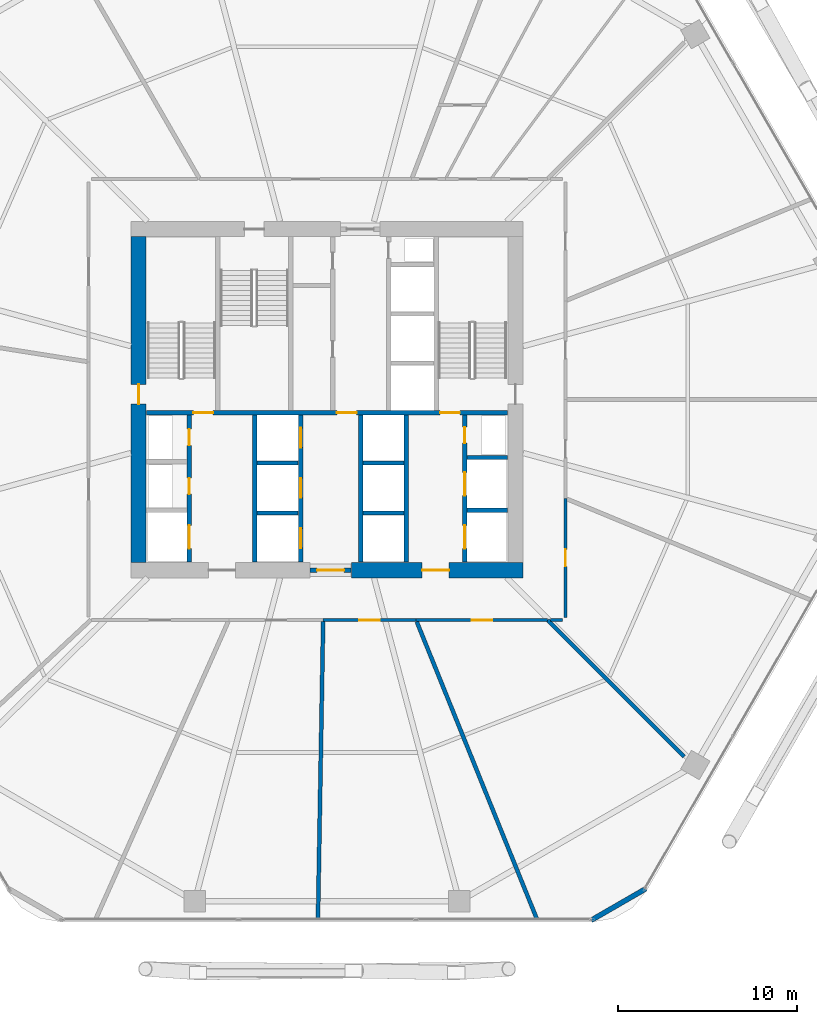
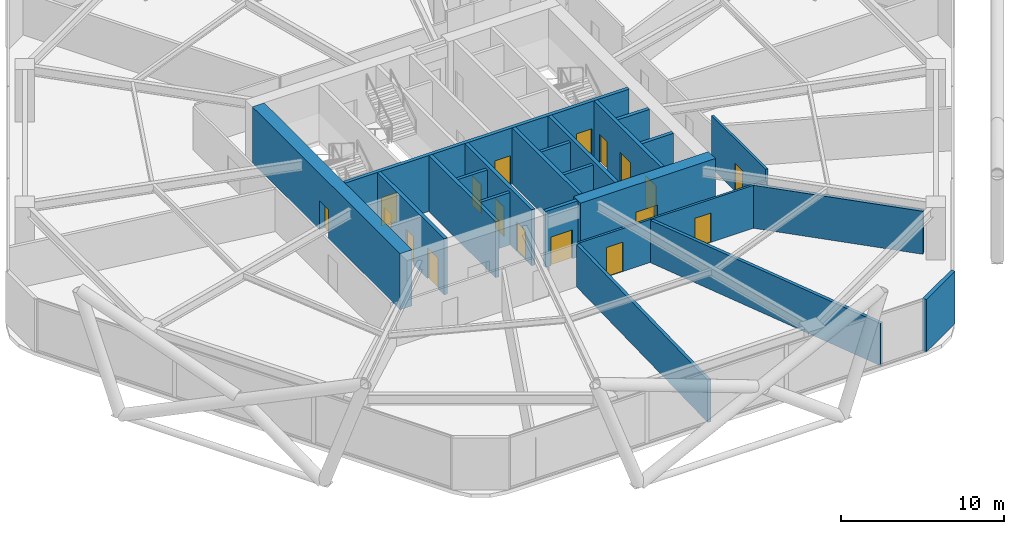
# One storey, part 25 of 28: 24 walls, 18 doors, 18 openings.
"""IFC4 building model written with IfcOpenShell, lengths in metres."""

import ifcopenshell
import ifcopenshell.guid

model = None  # the IFC model being written
_history = None  # IfcOwnerHistory: only IFC2X3 demands one
_inside = {}  # id of a spatial element -> (the spatial element, [elements in it])
_under = {}  # id of a project, library or spatial element -> (it, [spatial elements below it])
_declared = {}  # id of a project -> (the project, [libraries it declares])
_typed = {}  # id of a type object -> (the type object, [elements of that type])
_made_of = {}  # id of a material, layer set ... -> (it, [elements and type objects made of it])


def new_model(schema):
    """Start an empty IFC model of exactly this schema.

    Asked for "IFC4X3", IfcOpenShell would pick the latest addendum, in which some entities
    have other attributes; the version numbers below select the first issue.
    IFC2X3 requires an IfcOwnerHistory on every rooted entity: one is made here for all.
    """
    global model, _history
    if schema == "IFC4X3":
        model = ifcopenshell.file(schema_version=(4, 3, 0, 0))
    else:
        model = ifcopenshell.file(schema=schema)
    _inside.clear()
    _under.clear()
    _declared.clear()
    _typed.clear()
    _made_of.clear()
    _history = None
    if model.schema == "IFC2X3":
        org = make("IfcOrganization", Name="unknown")
        user = make(
            "IfcPersonAndOrganization",
            ThePerson=make("IfcPerson", FamilyName="unknown"),
            TheOrganization=org,
        )
        app = make(
            "IfcApplication",
            ApplicationDeveloper=org,
            Version="unknown",
            ApplicationFullName="unknown",
            ApplicationIdentifier="unknown",
        )
        _history = make(
            "IfcOwnerHistory",
            OwningUser=user,
            OwningApplication=app,
            ChangeAction="ADDED",
            CreationDate=0,
        )
    return model


def make(cls, **values):
    """One entity of the class cls with the attributes given. An attribute that is None is left unset."""
    return model.create_entity(
        cls, **{name: value for name, value in values.items() if value is not None}
    )


def rooted(cls, **values):
    """An entity with a GlobalId (a new one), such as an element, a storey or a relation."""
    return make(cls, GlobalId=ifcopenshell.guid.new(), OwnerHistory=_history, **values)


def si_unit(unit_type, name, prefix=None):
    """IfcSIUnit, for example si_unit("LENGTHUNIT", "METRE", prefix="MILLI")."""
    return make("IfcSIUnit", UnitType=unit_type, Prefix=prefix, Name=name)


def assignment(units):
    """IfcUnitAssignment: the units of a project."""
    return None if units is None else make("IfcUnitAssignment", Units=units)


def point(xyz):
    """IfcCartesianPoint."""
    return None if xyz is None else make("IfcCartesianPoint", Coordinates=xyz)


def direction(xyz):
    """IfcDirection."""
    return None if xyz is None else make("IfcDirection", DirectionRatios=xyz)


def frame(location, z_axis=None, x_axis=None):
    """IfcAxis2Placement3D, a coordinate frame: its origin and axes. An axis left out is left unset."""
    return make(
        "IfcAxis2Placement3D",
        Location=point(location),
        Axis=direction(z_axis),
        RefDirection=direction(x_axis),
    )


def frame_2d(location, x_axis=None):
    """IfcAxis2Placement2D, a coordinate frame in the plane: its origin and x axis."""
    return make(
        "IfcAxis2Placement2D", Location=point(location), RefDirection=direction(x_axis)
    )


def origin():
    """The frame at (0, 0, 0) with its axes left unset."""
    return frame((0.0, 0.0, 0.0))


def place(relative_to, where):
    """IfcLocalPlacement: puts the frame where relative to a parent placement (None: the world)."""
    return make(
        "IfcLocalPlacement", PlacementRelTo=relative_to, RelativePlacement=where
    )


def context(
    kind, dimensions, precision=None, world=None, true_north=None, identifier=None
):
    """IfcGeometricRepresentationContext, for example the 3D "Model" context."""
    return make(
        "IfcGeometricRepresentationContext",
        ContextIdentifier=identifier,
        ContextType=kind,
        CoordinateSpaceDimension=dimensions,
        Precision=precision,
        WorldCoordinateSystem=world,
        TrueNorth=true_north,
    )


def subcontext(parent, identifier, kind, view, scale=None):
    """IfcGeometricRepresentationSubContext, for example "Body" below "Model"."""
    return make(
        "IfcGeometricRepresentationSubContext",
        ContextIdentifier=identifier,
        ContextType=kind,
        ParentContext=parent,
        TargetScale=scale,
        TargetView=view,
    )


def project(units=None, contexts=None):
    """IfcProject with its units and contexts."""
    return rooted(
        "IfcProject",
        Name="project",
        RepresentationContexts=contexts,
        UnitsInContext=assignment(units),
    )


def spatial(cls, under=None, at=None, **own):
    """A site, building, storey or space (cls), placed at a placement, below another one or the project."""
    s = rooted(cls, ObjectPlacement=at, **own)
    if under is not None:
        _under.setdefault(under.id(), (under, []))[1].append(s)
    return s


def profile(cls, at=None, kind="AREA", **sizes):
    """A parametric profile (cls). Its sizes go by their IFC names, for example OverallWidth=200.0."""
    return make(cls, ProfileType=kind, Position=at, **sizes)


def rectangle(**sizes):
    """IfcRectangleProfileDef."""
    return profile("IfcRectangleProfileDef", **sizes)


def extrude(swept, where, along, depth):
    """IfcExtrudedAreaSolid: the profile swept, set in the frame where, extruded along a direction by depth."""
    return make(
        "IfcExtrudedAreaSolid",
        SweptArea=swept,
        Position=where,
        ExtrudedDirection=direction(along),
        Depth=depth,
    )


def shape(context_of_items, identifier, shape_type, items):
    """IfcShapeRepresentation: the items that make up one representation, for example the "Body"."""
    return make(
        "IfcShapeRepresentation",
        ContextOfItems=context_of_items,
        RepresentationIdentifier=identifier,
        RepresentationType=shape_type,
        Items=items,
    )


def material(Name=None, Category=None):
    """IfcMaterial."""
    return make("IfcMaterial", Name=Name, Category=Category)


def layer(
    of_material, thickness, ventilated=None, Name=None, Category=None, Priority=None
):
    """IfcMaterialLayer: one layer of a wall or slab, of a material (None: an air gap)."""
    return make(
        "IfcMaterialLayer",
        Material=of_material,
        LayerThickness=thickness,
        IsVentilated=ventilated,
        Name=Name,
        Category=Category,
        Priority=Priority,
    )


def layer_set(layers, Name=None):
    """IfcMaterialLayerSet."""
    return make("IfcMaterialLayerSet", MaterialLayers=layers, LayerSetName=Name)


def made_of(thing, what):
    """Note that an element or type object is made of a material, layer set ...; save() writes the relation."""
    if what is not None:
        _made_of.setdefault(what.id(), (what, []))[1].append(thing)
    return thing


def type_object(cls, material=None, **own):
    """A type object (cls), such as IfcWallType, which elements share."""
    return made_of(rooted(cls, **own), material)


def element(
    cls,
    number,
    at=None,
    inside=None,
    cuts=None,
    type_object=None,
    material=None,
    context=None,
    identifier="Body",
    shape_type=None,
    held_by="IfcProductDefinitionShape",
    body=None,
    shapes=None,
    **own,
):
    """One element of the class cls, such as IfcWall. Its Tag is "e" and its number.

    at: its placement. inside: the storey or other place that contains it. cuts: it is an
    opening in that element (IfcRelVoidsElement). A single representation is given by context,
    identifier, shape_type and body (its items); several are given by shapes. held_by: the class
    of the entity that holds the representations. save() writes the other relations.
    """
    e = rooted(cls, Tag="e%d" % number, ObjectPlacement=at, **own)
    if body is not None:
        shapes = [shape(context, identifier, shape_type, body)]
    if shapes is not None:
        e.Representation = make(held_by, Representations=shapes)
    if inside is not None:
        _inside.setdefault(inside.id(), (inside, []))[1].append(e)
    if cuts is not None:
        rooted(
            "IfcRelVoidsElement", RelatingBuildingElement=cuts, RelatedOpeningElement=e
        )
    if type_object is not None:
        _typed.setdefault(type_object.id(), (type_object, []))[1].append(e)
    return made_of(e, material)


def fill(opening, filler):
    """IfcRelFillsElement: the door or window that sits in an opening."""
    return rooted(
        "IfcRelFillsElement",
        RelatingOpeningElement=opening,
        RelatedBuildingElement=filler,
    )


def aggregate(whole, parts):
    """IfcRelAggregates: a whole, such as a stair, and the parts it consists of."""
    return rooted("IfcRelAggregates", RelatingObject=whole, RelatedObjects=parts)


def save(model, path):
    """Write the relations noted so far, then the file.

    IfcRelAggregates (storeys below a building ...), IfcRelContainedInSpatialStructure (elements
    in a storey), IfcRelDefinesByType, IfcRelAssociatesMaterial and IfcRelDeclares: one each for
    every whole, place, type object, material and project.
    """
    for whole, parts in _under.values():
        aggregate(whole, parts)
    for where, things in _inside.values():
        rooted(
            "IfcRelContainedInSpatialStructure",
            RelatedElements=things,
            RelatingStructure=where,
        )
    for kind, things in _typed.values():
        rooted("IfcRelDefinesByType", RelatedObjects=things, RelatingType=kind)
    for what, things in _made_of.values():
        rooted("IfcRelAssociatesMaterial", RelatedObjects=things, RelatingMaterial=what)
    for by, libraries in _declared.values():
        rooted("IfcRelDeclares", RelatingContext=by, RelatedDefinitions=libraries)
    model.write(path)


model = new_model("IFC4")

# Units and contexts
model_context = context("Model", 3, precision=1e-05, world=origin(), true_north=direction((0.0, 1.0)))
body_context = subcontext(model_context, "Body", "Model", "MODEL_VIEW")
ifc_project = project(units=[si_unit("LENGTHUNIT", "METRE"), si_unit("AREAUNIT", "SQUARE_METRE"), si_unit("VOLUMEUNIT", "CUBIC_METRE"), si_unit("PLANEANGLEUNIT", "RADIAN"), si_unit("MASSUNIT", "GRAM", prefix="KILO")], contexts=[model_context])

# Site, building, storey
site_placement = place(None, origin())
site = spatial("IfcSite", under=ifc_project, at=site_placement, CompositionType="ELEMENT")
building_placement = place(site_placement, origin())
building = spatial("IfcBuilding", under=site, at=building_placement, Name="Zuhravey Tower", CompositionType="ELEMENT")
storey_placement = place(building_placement, frame((0.0, 0.0, 66.60009765625)))
storey = spatial("IfcBuildingStorey", under=building, at=storey_placement, Name="L16", CompositionType="ELEMENT", Elevation=66.60009765625)

# Wall, opening, door
ifc_material_1 = material(Name="Concrete C60/75", Category="concrete")
ifc_layer_1 = layer(ifc_material_1, 0.85009765625)
ifc_layer_set_1 = layer_set([ifc_layer_1], Name="Concrete C60/75")
wall_type_1 = type_object("IfcWallType", Name="Core Shear Wall 850", PredefinedType="SHEAR", material=ifc_layer_set_1)
wall_1_placement = place(storey_placement, frame((37.35009765625, 22.5, 0.0), z_axis=(0.0, 0.0, 1.0), x_axis=(1.0, 0.0, 0.0)))
wall_1 = element("IfcWall", 1, at=wall_1_placement, inside=storey, type_object=wall_type_1, Name="L16 South-East Core Shear Wall CW85", PredefinedType="SHEAR", context=body_context, shape_type="SweptSolid", body=[
    extrude(rectangle(XDim=9.574951171875, YDim=0.85009765625, at=frame_2d((4.78759765625, 0.0))), origin(), (0.0, 0.0, 1.0), 4.199951171875),
])
opening_1_placement = place(wall_1_placement, frame((3.949951171875, 0.0, 0.0)))
opening_1 = element("IfcOpeningElement", 2, at=opening_1_placement, cuts=wall_1, Name="Opening FFD1", PredefinedType="OPENING", context=body_context, shape_type="SweptSolid", body=[
    extrude(rectangle(XDim=1.5, YDim=2.14990234375, at=frame_2d((0.75, 1.074951171875))), frame((0.0, 0.43701171875, 0.0), z_axis=(0.0, -1.0, 0.0), x_axis=(1.0, 0.0, 0.0)), (0.0, 0.0, 1.0), 0.8740234375),
])
ifc_material_2 = material(Name="Galvanised fire-rated steel leaf", Category="steel")
door_type_1 = type_object("IfcDoorType", Name="Firefighting Lobby Double Door 1500x2150", OperationType="DOUBLE_DOOR_SINGLE_SWING", PredefinedType="DOOR", material=ifc_material_2)
door_1_placement = place(opening_1_placement, origin())
door_1 = element("IfcDoor", 3, at=door_1_placement, inside=storey, type_object=door_type_1, Name="L16 Firefighting Lobby East Door", OperationType="DOUBLE_DOOR_SINGLE_SWING", OverallHeight=2.14990234375, OverallWidth=1.5, PredefinedType="DOOR", context=body_context, shape_type="SweptSolid", body=[
    extrude(rectangle(XDim=1.5, YDim=2.14990234375, at=frame_2d((0.75, 1.074951171875))), frame((0.0, 0.02490234375, 0.0), z_axis=(0.0, -1.0, 0.0), x_axis=(1.0, 0.0, 0.0)), (0.0, 0.0, 1.0), 0.050048828125),
])
fill(opening_1, door_1)

wall_2_placement = place(storey_placement, frame((25.5, 22.925048828125, 0.0), z_axis=(0.0, 0.0, 1.0), x_axis=(0.0, 1.0, 0.0)))
wall_2 = element("IfcWall", 4, at=wall_2_placement, inside=storey, type_object=wall_type_1, Name="L16 West Core Shear Wall CW85", PredefinedType="SHEAR", context=body_context, shape_type="SweptSolid", body=[
    extrude(rectangle(XDim=18.14990234375, YDim=0.85009765625, at=frame_2d((9.074951171875, 0.0))), origin(), (0.0, 0.0, 1.0), 4.199951171875),
])
opening_2_placement = place(wall_2_placement, frame((8.824951171875, 0.0, 0.0)))
opening_2 = element("IfcOpeningElement", 5, at=opening_2_placement, cuts=wall_2, Name="Opening STD1", PredefinedType="OPENING", context=body_context, shape_type="SweptSolid", body=[
    extrude(rectangle(XDim=1.10009765625, YDim=2.14990234375, at=frame_2d((0.550048828125, 1.074951171875))), frame((0.0, 0.43701171875, 0.0), z_axis=(0.0, -1.0, 0.0), x_axis=(1.0, 0.0, 0.0)), (0.0, 0.0, 1.0), 0.8740234375),
])
door_type_2 = type_object("IfcDoorType", Name="Protected Stair Fire Door 1100x2150", OperationType="NOTDEFINED", PredefinedType="USERDEFINED", material=ifc_material_2)
door_2_placement = place(opening_2_placement, frame((1.10009765625, 0.0, 0.0), z_axis=(0.0, 0.0, 1.0), x_axis=(-1.0, 0.0, 0.0)))
door_2 = element("IfcDoor", 6, at=door_2_placement, inside=storey, type_object=door_type_2, Name="L16 Stair ST1 Door", ObjectType="EXITDOOR", OperationType="SINGLE_SWING_RIGHT", OverallHeight=2.14990234375, OverallWidth=1.10009765625, PredefinedType="USERDEFINED", context=body_context, shape_type="SweptSolid", body=[
    extrude(rectangle(XDim=1.10009765625, YDim=2.14990234375, at=frame_2d((0.550048828125, 1.074951171875))), frame((0.0, 0.02490234375, 0.0), z_axis=(0.0, -1.0, 0.0), x_axis=(1.0, 0.0, 0.0)), (0.0, 0.0, 1.0), 0.050048828125),
])
fill(opening_2, door_2)

ifc_material_3 = material(Name="Gypsum fire-rated stud partition")
ifc_layer_2 = layer(ifc_material_3, 0.159912109375)
ifc_layer_set_2 = layer_set([ifc_layer_2], Name="Gypsum fire-rated stud partition")
wall_type_2 = type_object("IfcWallType", Name="Corridor Fire Partition 160", PredefinedType="PARTITIONING", material=ifc_layer_set_2)
wall_3_placement = place(storey_placement, frame((35.78564453125, 19.715087890625, 0.0), z_axis=(0.0, 0.0, 1.0), x_axis=(1.0, 0.0, 0.0)))
wall_3 = element("IfcWall", 7, at=wall_3_placement, inside=storey, type_object=wall_type_2, Name="L16 IW16 Partition 028", PredefinedType="PARTITIONING", context=body_context, shape_type="SweptSolid", body=[
    extrude(rectangle(XDim=5.177734375, YDim=0.159912109375, at=frame_2d((2.5888671875, 0.0))), origin(), (0.0, 0.0, 1.0), 3.219970703125),
])
opening_3_placement = place(wall_3_placement, frame((2.013916015625, 0.0, 0.0)))
opening_3 = element("IfcOpeningElement", 8, at=opening_3_placement, cuts=wall_3, Name="Opening CLD1", PredefinedType="OPENING", context=body_context, shape_type="SweptSolid", body=[
    extrude(rectangle(XDim=1.14990234375, YDim=2.199951171875, at=frame_2d((0.574951171875, 1.10009765625))), frame((0.0, 0.092041015625, 0.0), z_axis=(0.0, -1.0, 0.0), x_axis=(1.0, 0.0, 0.0)), (0.0, 0.0, 1.0), 0.183837890625),
])
ifc_material_4 = material(Name="Acoustic timber leaf with vision lite", Category="wood")
door_type_3 = type_object("IfcDoorType", Name="Classroom Acoustic Door 1150x2200", OperationType="NOTDEFINED", PredefinedType="DOOR", material=ifc_material_4)
door_3_placement = place(opening_3_placement, frame((1.14990234375, 0.0, 0.0), z_axis=(0.0, 0.0, 1.0), x_axis=(-1.0, 0.0, 0.0)))
door_3 = element("IfcDoor", 9, at=door_3_placement, inside=storey, type_object=door_type_3, Name="L16 Door 028.1", OperationType="SINGLE_SWING_LEFT", OverallHeight=2.199951171875, OverallWidth=1.14990234375, PredefinedType="DOOR", context=body_context, shape_type="SweptSolid", body=[
    extrude(rectangle(XDim=1.14990234375, YDim=2.199951171875, at=frame_2d((0.574951171875, 1.10009765625))), frame((0.0, 0.02490234375, 0.0), z_axis=(0.0, -1.0, 0.0), x_axis=(1.0, 0.0, 0.0)), (0.0, 0.0, 1.0), 0.050048828125),
])
fill(opening_3, door_3)

wall_4_placement = place(storey_placement, frame((40.96337890625, 19.715087890625, 0.0), z_axis=(0.0, 0.0, 1.0), x_axis=(1.0, 0.0, 0.0)))
wall_4 = element("IfcWall", 10, at=wall_4_placement, inside=storey, type_object=wall_type_2, Name="L16 IW16 Partition 029", PredefinedType="PARTITIONING", context=body_context, shape_type="SweptSolid", body=[
    extrude(rectangle(XDim=7.321533203125, YDim=0.159912109375, at=frame_2d((3.66064453125, 0.0))), origin(), (0.0, 0.0, 1.0), 3.219970703125),
])
opening_4_placement = place(wall_4_placement, frame((3.085693359375, 0.0, 0.0)))
opening_4 = element("IfcOpeningElement", 11, at=opening_4_placement, cuts=wall_4, Name="Opening CLD1", PredefinedType="OPENING", context=body_context, shape_type="SweptSolid", body=[
    extrude(rectangle(XDim=1.14990234375, YDim=2.199951171875, at=frame_2d((0.574951171875, 1.10009765625))), frame((0.0, 0.092041015625, 0.0), z_axis=(0.0, -1.0, 0.0), x_axis=(1.0, 0.0, 0.0)), (0.0, 0.0, 1.0), 0.183837890625),
])
door_4_placement = place(opening_4_placement, frame((1.14990234375, 0.0, 0.0), z_axis=(0.0, 0.0, 1.0), x_axis=(-1.0, 0.0, 0.0)))
door_4 = element("IfcDoor", 12, at=door_4_placement, inside=storey, type_object=door_type_3, Name="L16 Door 029.1", OperationType="SINGLE_SWING_RIGHT", OverallHeight=2.199951171875, OverallWidth=1.14990234375, PredefinedType="DOOR", context=body_context, shape_type="SweptSolid", body=[
    extrude(rectangle(XDim=1.14990234375, YDim=2.199951171875, at=frame_2d((0.574951171875, 1.10009765625))), frame((0.0, 0.02490234375, 0.0), z_axis=(0.0, -1.0, 0.0), x_axis=(1.0, 0.0, 0.0)), (0.0, 0.0, 1.0), 0.050048828125),
])
fill(opening_4, door_4)

wall_5_placement = place(storey_placement, frame((49.284912109375, 19.875, 0.0), z_axis=(0.0, 0.0, 1.0), x_axis=(0.0, 1.0, 0.0)))
wall_5 = element("IfcWall", 13, at=wall_5_placement, inside=storey, type_object=wall_type_2, Name="L16 IW16 Partition 030", PredefinedType="PARTITIONING", context=body_context, shape_type="SweptSolid", body=[
    extrude(rectangle(XDim=6.622314453125, YDim=0.159912109375, at=frame_2d((3.31103515625, 0.0))), origin(), (0.0, 0.0, 1.0), 3.919921875),
])
opening_5_placement = place(wall_5_placement, frame((2.836181640625, 0.0, 0.0)))
opening_5 = element("IfcOpeningElement", 14, at=opening_5_placement, cuts=wall_5, Name="Opening IND1", PredefinedType="OPENING", context=body_context, shape_type="SweptSolid", body=[
    extrude(rectangle(XDim=0.949951171875, YDim=2.10009765625, at=frame_2d((0.47509765625, 1.050048828125))), frame((0.0, 0.092041015625, 0.0), z_axis=(0.0, -1.0, 0.0), x_axis=(1.0, 0.0, 0.0)), (0.0, 0.0, 1.0), 0.183837890625),
])
ifc_material_5 = material(Name="Painted engineered timber leaf", Category="wood")
door_type_4 = type_object("IfcDoorType", Name="Internal Room & Bedroom Door 950x2100", OperationType="NOTDEFINED", PredefinedType="DOOR", material=ifc_material_5)
door_5_placement = place(opening_5_placement, frame((0.949951171875, 0.0, 0.0), z_axis=(0.0, 0.0, 1.0), x_axis=(-1.0, 0.0, 0.0)))
door_5 = element("IfcDoor", 15, at=door_5_placement, inside=storey, type_object=door_type_4, Name="L16 Door 030.1", OperationType="SINGLE_SWING_LEFT", OverallHeight=2.10009765625, OverallWidth=0.949951171875, PredefinedType="DOOR", context=body_context, shape_type="SweptSolid", body=[
    extrude(rectangle(XDim=0.949951171875, YDim=2.10009765625, at=frame_2d((0.47509765625, 1.050048828125))), frame((0.0, 0.02490234375, 0.0), z_axis=(0.0, -1.0, 0.0), x_axis=(1.0, 0.0, 0.0)), (0.0, 0.0, 1.0), 0.050048828125),
])
fill(opening_5, door_5)

# Walls
wall_6_placement = place(storey_placement, frame((48.451904296875, 19.715087890625, 0.0), z_axis=(0.0, 0.0, 1.0), x_axis=(1.0, 0.0, 0.0)))
element("IfcWall", 16, at=wall_6_placement, inside=storey, type_object=wall_type_2, Name="L16 IW16 Partition 057", PredefinedType="PARTITIONING", context=body_context, shape_type="SweptSolid", body=[
    extrude(rectangle(XDim=0.673095703125, YDim=0.159912109375, at=frame_2d((0.33642578125, 0.0))), origin(), (0.0, 0.0, 1.0), 3.219970703125),
])
ifc_material_6 = material(Name="Precast concrete C40/50", Category="concrete")
ifc_layer_3 = layer(ifc_material_6, 0.280029296875)
ifc_layer_set_3 = layer_set([ifc_layer_3], Name="Precast concrete C40/50")
wall_type_3 = type_object("IfcWallType", Name="Crown Architectural Wall 280", PredefinedType="SOLIDWALL", material=ifc_layer_set_3)
wall_7_placement = place(storey_placement, frame((53.76123046875, 4.75146484375, 0.0), z_axis=(0.0, 0.0, 1.0), x_axis=(-0.866007452331, -0.500031091541, 0.0)))
element("IfcWall", 17, at=wall_7_placement, inside=storey, type_object=wall_type_3, Name="L16 Rounded Corner Closure Wall EW28-02", PredefinedType="SOLIDWALL", context=body_context, shape_type="SweptSolid", body=[
    extrude(rectangle(XDim=3.514892578125, YDim=0.280029296875, at=frame_2d((1.75732421875, 0.0))), origin(), (0.0, 0.0, 1.0), 3.919921875),
])

# Wall, opening, door
ifc_material_7 = material(Name="Concrete C50/60", Category="concrete")
ifc_layer_4 = layer(ifc_material_7, 0.25)
ifc_layer_set_4 = layer_set([ifc_layer_4], Name="Concrete C50/60")
wall_type_4 = type_object("IfcWallType", Name="Firefighting Shaft & Stair Wall 250", PredefinedType="SOLIDWALL", material=ifc_layer_set_4)
wall_8_placement = place(storey_placement, frame((35.06005859375, 22.5, 0.0), z_axis=(0.0, 0.0, 1.0), x_axis=(1.0, 0.0, 0.0)))
wall_8 = element("IfcWall", 18, at=wall_8_placement, inside=storey, type_object=wall_type_4, Name="L16 FW25 Shaft Wall 001", PredefinedType="SOLIDWALL", context=body_context, shape_type="SweptSolid", body=[
    extrude(rectangle(XDim=2.280029296875, YDim=0.25, at=frame_2d((1.14013671875, 0.0))), origin(), (0.0, 0.0, 1.0), 4.199951171875),
])
opening_6_placement = place(wall_8_placement, frame((0.389892578125, 0.0, 0.0)))
opening_6 = element("IfcOpeningElement", 19, at=opening_6_placement, cuts=wall_8, Name="Opening FFD1", PredefinedType="OPENING", context=body_context, shape_type="SweptSolid", body=[
    extrude(rectangle(XDim=1.5, YDim=2.14990234375, at=frame_2d((0.75, 1.074951171875))), frame((0.0, 0.136962890625, 0.0), z_axis=(0.0, -1.0, 0.0), x_axis=(1.0, 0.0, 0.0)), (0.0, 0.0, 1.0), 0.27392578125),
])
door_6_placement = place(opening_6_placement, frame((1.5, 0.0, 0.0), z_axis=(0.0, 0.0, 1.0), x_axis=(-1.0, 0.0, 0.0)))
door_6 = element("IfcDoor", 20, at=door_6_placement, inside=storey, type_object=door_type_1, Name="L16 South Lift Lobby Exit Door", OperationType="DOUBLE_DOOR_SINGLE_SWING", OverallHeight=2.14990234375, OverallWidth=1.5, PredefinedType="DOOR", context=body_context, shape_type="SweptSolid", body=[
    extrude(rectangle(XDim=1.5, YDim=2.14990234375, at=frame_2d((0.75, 1.074951171875))), frame((0.0, 0.02490234375, 0.0), z_axis=(0.0, -1.0, 0.0), x_axis=(1.0, 0.0, 0.0)), (0.0, 0.0, 1.0), 0.050048828125),
])
fill(opening_6, door_6)

# Wall, openings, doors
wall_9_placement = place(storey_placement, frame((25.949951171875, 31.27490234375, 0.0), z_axis=(0.0, 0.0, 1.0), x_axis=(1.0, 0.0, 0.0)))
wall_9 = element("IfcWall", 21, at=wall_9_placement, inside=storey, type_object=wall_type_4, Name="L16 FW25 Shaft Wall 003", PredefinedType="SOLIDWALL", context=body_context, shape_type="SweptSolid", body=[
    extrude(rectangle(XDim=20.10009765625, YDim=0.25, at=frame_2d((10.050048828125, 0.0))), origin(), (0.0, 0.0, 1.0), 4.199951171875),
])
opening_7_placement = place(wall_9_placement, frame((2.60009765625, 0.0, 0.0)))
opening_7 = element("IfcOpeningElement", 22, at=opening_7_placement, cuts=wall_9, Name="Opening STD1", PredefinedType="OPENING", context=body_context, shape_type="SweptSolid", body=[
    extrude(rectangle(XDim=1.10009765625, YDim=2.14990234375, at=frame_2d((0.550048828125, 1.074951171875))), frame((0.0, 0.136962890625, 0.0), z_axis=(0.0, -1.0, 0.0), x_axis=(1.0, 0.0, 0.0)), (0.0, 0.0, 1.0), 0.27392578125),
])
opening_8_placement = place(wall_9_placement, frame((10.60009765625, 0.0, 0.0)))
opening_8 = element("IfcOpeningElement", 23, at=opening_8_placement, cuts=wall_9, Name="Opening STD1", PredefinedType="OPENING", context=body_context, shape_type="SweptSolid", body=[
    extrude(rectangle(XDim=1.10009765625, YDim=2.14990234375, at=frame_2d((0.550048828125, 1.074951171875))), frame((0.0, 0.136962890625, 0.0), z_axis=(0.0, -1.0, 0.0), x_axis=(1.0, 0.0, 0.0)), (0.0, 0.0, 1.0), 0.27392578125),
])
opening_9_placement = place(wall_9_placement, frame((16.35009765625, 0.0, 0.0)))
opening_9 = element("IfcOpeningElement", 24, at=opening_9_placement, cuts=wall_9, Name="Opening STD1", PredefinedType="OPENING", context=body_context, shape_type="SweptSolid", body=[
    extrude(rectangle(XDim=1.10009765625, YDim=2.14990234375, at=frame_2d((0.550048828125, 1.074951171875))), frame((0.0, 0.136962890625, 0.0), z_axis=(0.0, -1.0, 0.0), x_axis=(1.0, 0.0, 0.0)), (0.0, 0.0, 1.0), 0.27392578125),
])
door_7_placement = place(opening_7_placement, origin())
door_7 = element("IfcDoor", 25, at=door_7_placement, inside=storey, type_object=door_type_2, Name="L16 FFL-W to ST1 Door", ObjectType="EXITDOOR", OperationType="SINGLE_SWING_LEFT", OverallHeight=2.14990234375, OverallWidth=1.10009765625, PredefinedType="USERDEFINED", context=body_context, shape_type="SweptSolid", body=[
    extrude(rectangle(XDim=1.10009765625, YDim=2.14990234375, at=frame_2d((0.550048828125, 1.074951171875))), frame((0.0, 0.02490234375, 0.0), z_axis=(0.0, -1.0, 0.0), x_axis=(1.0, 0.0, 0.0)), (0.0, 0.0, 1.0), 0.050048828125),
])
fill(opening_7, door_7)
door_8_placement = place(opening_8_placement, origin())
door_8 = element("IfcDoor", 26, at=door_8_placement, inside=storey, type_object=door_type_2, Name="L16 Core Lobby Link Door", ObjectType="EXITDOOR", OperationType="SINGLE_SWING_RIGHT", OverallHeight=2.14990234375, OverallWidth=1.10009765625, PredefinedType="USERDEFINED", context=body_context, shape_type="SweptSolid", body=[
    extrude(rectangle(XDim=1.10009765625, YDim=2.14990234375, at=frame_2d((0.550048828125, 1.074951171875))), frame((0.0, 0.02490234375, 0.0), z_axis=(0.0, -1.0, 0.0), x_axis=(1.0, 0.0, 0.0)), (0.0, 0.0, 1.0), 0.050048828125),
])
fill(opening_8, door_8)
door_9_placement = place(opening_9_placement, origin())
door_9 = element("IfcDoor", 27, at=door_9_placement, inside=storey, type_object=door_type_2, Name="L16 FFL-E to ST2 Door", ObjectType="EXITDOOR", OperationType="SINGLE_SWING_LEFT", OverallHeight=2.14990234375, OverallWidth=1.10009765625, PredefinedType="USERDEFINED", context=body_context, shape_type="SweptSolid", body=[
    extrude(rectangle(XDim=1.10009765625, YDim=2.14990234375, at=frame_2d((0.550048828125, 1.074951171875))), frame((0.0, 0.02490234375, 0.0), z_axis=(0.0, -1.0, 0.0), x_axis=(1.0, 0.0, 0.0)), (0.0, 0.0, 1.0), 0.050048828125),
])
fill(opening_9, door_9)

wall_10_placement = place(storey_placement, frame((28.324951171875, 22.949951171875, 0.0), z_axis=(0.0, 0.0, 1.0), x_axis=(0.0, 1.0, 0.0)))
wall_10 = element("IfcWall", 28, at=wall_10_placement, inside=storey, type_object=wall_type_4, Name="L16 FW25 Shaft Wall 011", PredefinedType="SOLIDWALL", context=body_context, shape_type="SweptSolid", body=[
    extrude(rectangle(XDim=8.199951171875, YDim=0.25, at=frame_2d((4.10009765625, 0.0))), origin(), (0.0, 0.0, 1.0), 4.199951171875),
])
opening_10_placement = place(wall_10_placement, frame((0.75, 0.0, 0.0)))
opening_10 = element("IfcOpeningElement", 29, at=opening_10_placement, cuts=wall_10, Name="Opening LD2", PredefinedType="OPENING", context=body_context, shape_type="SweptSolid", body=[
    extrude(rectangle(XDim=1.300048828125, YDim=2.300048828125, at=frame_2d((0.64990234375, 1.14990234375))), frame((0.0, 0.136962890625, 0.0), z_axis=(0.0, -1.0, 0.0), x_axis=(1.0, 0.0, 0.0)), (0.0, 0.0, 1.0), 0.27392578125),
])
opening_11_placement = place(wall_10_placement, frame((3.780029296875, 0.0, 0.0)))
opening_11 = element("IfcOpeningElement", 30, at=opening_11_placement, cuts=wall_10, Name="Opening RSD1", PredefinedType="OPENING", context=body_context, shape_type="SweptSolid", body=[
    extrude(rectangle(XDim=0.89990234375, YDim=2.10009765625, at=frame_2d((0.449951171875, 1.050048828125))), frame((0.0, 0.136962890625, 0.0), z_axis=(0.0, -1.0, 0.0), x_axis=(1.0, 0.0, 0.0)), (0.0, 0.0, 1.0), 0.27392578125),
])
opening_12_placement = place(wall_10_placement, frame((6.5, 0.0, 0.0)))
opening_12 = element("IfcOpeningElement", 31, at=opening_12_placement, cuts=wall_10, Name="Opening RSD1", PredefinedType="OPENING", context=body_context, shape_type="SweptSolid", body=[
    extrude(rectangle(XDim=0.89990234375, YDim=2.10009765625, at=frame_2d((0.449951171875, 1.050048828125))), frame((0.0, 0.136962890625, 0.0), z_axis=(0.0, -1.0, 0.0), x_axis=(1.0, 0.0, 0.0)), (0.0, 0.0, 1.0), 0.27392578125),
])
ifc_material_8 = material(Name="Brushed stainless steel", Category="steel")
door_type_5 = type_object("IfcDoorType", Name="Freight & Stretcher Lift Sliding Door 1300x2300", OperationType="DOUBLE_DOOR_SLIDING", PredefinedType="DOOR", material=ifc_material_8)
door_10_placement = place(opening_10_placement, frame((1.300048828125, 0.0, 0.0), z_axis=(0.0, 0.0, 1.0), x_axis=(-1.0, 0.0, 0.0)))
door_10 = element("IfcDoor", 32, at=door_10_placement, inside=storey, type_object=door_type_5, Name="L16 Lift FF1 Landing Door", OperationType="DOUBLE_DOOR_SLIDING", OverallHeight=2.300048828125, OverallWidth=1.300048828125, PredefinedType="DOOR", context=body_context, shape_type="SweptSolid", body=[
    extrude(rectangle(XDim=1.300048828125, YDim=2.300048828125, at=frame_2d((0.64990234375, 1.14990234375))), frame((0.0, 0.02490234375, 0.0), z_axis=(0.0, -1.0, 0.0), x_axis=(1.0, 0.0, 0.0)), (0.0, 0.0, 1.0), 0.050048828125),
])
fill(opening_10, door_10)
ifc_material_9 = material(Name="Galvanised fire-rated steel access leaf", Category="steel")
door_type_6 = type_object("IfcDoorType", Name="Riser & Shaft Access Fire Door 900x2100", OperationType="NOTDEFINED", PredefinedType="DOOR", material=ifc_material_9)
door_11_placement = place(opening_11_placement, frame((0.89990234375, 0.0, 0.0), z_axis=(0.0, 0.0, 1.0), x_axis=(-1.0, 0.0, 0.0)))
door_11 = element("IfcDoor", 33, at=door_11_placement, inside=storey, type_object=door_type_6, Name="L16 Electrical Riser Door", OperationType="SINGLE_SWING_LEFT", OverallHeight=2.10009765625, OverallWidth=0.89990234375, PredefinedType="DOOR", context=body_context, shape_type="SweptSolid", body=[
    extrude(rectangle(XDim=0.89990234375, YDim=2.10009765625, at=frame_2d((0.449951171875, 1.050048828125))), frame((0.0, 0.02490234375, 0.0), z_axis=(0.0, -1.0, 0.0), x_axis=(1.0, 0.0, 0.0)), (0.0, 0.0, 1.0), 0.050048828125),
])
fill(opening_11, door_11)
door_12_placement = place(opening_12_placement, frame((0.89990234375, 0.0, 0.0), z_axis=(0.0, 0.0, 1.0), x_axis=(-1.0, 0.0, 0.0)))
door_12 = element("IfcDoor", 34, at=door_12_placement, inside=storey, type_object=door_type_6, Name="L16 Smoke Shaft Access Door", OperationType="SINGLE_SWING_RIGHT", OverallHeight=2.10009765625, OverallWidth=0.89990234375, PredefinedType="DOOR", context=body_context, shape_type="SweptSolid", body=[
    extrude(rectangle(XDim=0.89990234375, YDim=2.10009765625, at=frame_2d((0.449951171875, 1.050048828125))), frame((0.0, 0.02490234375, 0.0), z_axis=(0.0, -1.0, 0.0), x_axis=(1.0, 0.0, 0.0)), (0.0, 0.0, 1.0), 0.050048828125),
])
fill(opening_12, door_12)

# Wall
wall_11_placement = place(storey_placement, frame((31.97509765625, 22.949951171875, 0.0), z_axis=(0.0, 0.0, 1.0), x_axis=(0.0, 1.0, 0.0)))
element("IfcWall", 35, at=wall_11_placement, inside=storey, type_object=wall_type_4, Name="L16 FW25 Shaft Wall 012", PredefinedType="SOLIDWALL", context=body_context, shape_type="SweptSolid", body=[
    extrude(rectangle(XDim=8.199951171875, YDim=0.25, at=frame_2d((4.10009765625, 0.0))), origin(), (0.0, 0.0, 1.0), 4.199951171875),
])

# Wall, openings, doors
wall_12_placement = place(storey_placement, frame((34.52490234375, 22.949951171875, 0.0), z_axis=(0.0, 0.0, 1.0), x_axis=(0.0, 1.0, 0.0)))
wall_12 = element("IfcWall", 36, at=wall_12_placement, inside=storey, type_object=wall_type_4, Name="L16 FW25 Shaft Wall 013", PredefinedType="SOLIDWALL", context=body_context, shape_type="SweptSolid", body=[
    extrude(rectangle(XDim=8.199951171875, YDim=0.25, at=frame_2d((4.10009765625, 0.0))), origin(), (0.0, 0.0, 1.0), 4.199951171875),
])
opening_13_placement = place(wall_12_placement, frame((0.77490234375, 0.0, 0.0)))
opening_13 = element("IfcOpeningElement", 37, at=opening_13_placement, cuts=wall_12, Name="Opening LD1", PredefinedType="OPENING", context=body_context, shape_type="SweptSolid", body=[
    extrude(rectangle(XDim=1.10009765625, YDim=2.199951171875, at=frame_2d((0.550048828125, 1.10009765625))), frame((0.0, 0.136962890625, 0.0), z_axis=(0.0, -1.0, 0.0), x_axis=(1.0, 0.0, 0.0)), (0.0, 0.0, 1.0), 0.27392578125),
])
opening_14_placement = place(wall_12_placement, frame((3.574951171875, 0.0, 0.0)))
opening_14 = element("IfcOpeningElement", 38, at=opening_14_placement, cuts=wall_12, Name="Opening LD1", PredefinedType="OPENING", context=body_context, shape_type="SweptSolid", body=[
    extrude(rectangle(XDim=1.10009765625, YDim=2.199951171875, at=frame_2d((0.550048828125, 1.10009765625))), frame((0.0, 0.136962890625, 0.0), z_axis=(0.0, -1.0, 0.0), x_axis=(1.0, 0.0, 0.0)), (0.0, 0.0, 1.0), 0.27392578125),
])
opening_15_placement = place(wall_12_placement, frame((6.375, 0.0, 0.0)))
opening_15 = element("IfcOpeningElement", 39, at=opening_15_placement, cuts=wall_12, Name="Opening LD1", PredefinedType="OPENING", context=body_context, shape_type="SweptSolid", body=[
    extrude(rectangle(XDim=1.10009765625, YDim=2.199951171875, at=frame_2d((0.550048828125, 1.10009765625))), frame((0.0, 0.136962890625, 0.0), z_axis=(0.0, -1.0, 0.0), x_axis=(1.0, 0.0, 0.0)), (0.0, 0.0, 1.0), 0.27392578125),
])
door_type_7 = type_object("IfcDoorType", Name="Lift Landing Sliding Door 1100x2200", OperationType="DOUBLE_DOOR_SLIDING", PredefinedType="DOOR", material=ifc_material_8)
door_13_placement = place(opening_13_placement, frame((1.10009765625, 0.0, 0.0), z_axis=(0.0, 0.0, 1.0), x_axis=(-1.0, 0.0, 0.0)))
door_13 = element("IfcDoor", 40, at=door_13_placement, inside=storey, type_object=door_type_7, Name="L16 Lift PL1 Landing Door", OperationType="DOUBLE_DOOR_SLIDING", OverallHeight=2.199951171875, OverallWidth=1.10009765625, PredefinedType="DOOR", context=body_context, shape_type="SweptSolid", body=[
    extrude(rectangle(XDim=1.10009765625, YDim=2.199951171875, at=frame_2d((0.550048828125, 1.10009765625))), frame((0.0, 0.02490234375, 0.0), z_axis=(0.0, -1.0, 0.0), x_axis=(1.0, 0.0, 0.0)), (0.0, 0.0, 1.0), 0.050048828125),
])
fill(opening_13, door_13)
door_14_placement = place(opening_14_placement, frame((1.10009765625, 0.0, 0.0), z_axis=(0.0, 0.0, 1.0), x_axis=(-1.0, 0.0, 0.0)))
door_14 = element("IfcDoor", 41, at=door_14_placement, inside=storey, type_object=door_type_7, Name="L16 Lift PL2 Landing Door", OperationType="DOUBLE_DOOR_SLIDING", OverallHeight=2.199951171875, OverallWidth=1.10009765625, PredefinedType="DOOR", context=body_context, shape_type="SweptSolid", body=[
    extrude(rectangle(XDim=1.10009765625, YDim=2.199951171875, at=frame_2d((0.550048828125, 1.10009765625))), frame((0.0, 0.02490234375, 0.0), z_axis=(0.0, -1.0, 0.0), x_axis=(1.0, 0.0, 0.0)), (0.0, 0.0, 1.0), 0.050048828125),
])
fill(opening_14, door_14)
door_15_placement = place(opening_15_placement, frame((1.10009765625, 0.0, 0.0), z_axis=(0.0, 0.0, 1.0), x_axis=(-1.0, 0.0, 0.0)))
door_15 = element("IfcDoor", 42, at=door_15_placement, inside=storey, type_object=door_type_7, Name="L16 Lift PL3 Landing Door", OperationType="DOUBLE_DOOR_SLIDING", OverallHeight=2.199951171875, OverallWidth=1.10009765625, PredefinedType="DOOR", context=body_context, shape_type="SweptSolid", body=[
    extrude(rectangle(XDim=1.10009765625, YDim=2.199951171875, at=frame_2d((0.550048828125, 1.10009765625))), frame((0.0, 0.02490234375, 0.0), z_axis=(0.0, -1.0, 0.0), x_axis=(1.0, 0.0, 0.0)), (0.0, 0.0, 1.0), 0.050048828125),
])
fill(opening_15, door_15)

# Walls
for number, where, z_axis, x_axis, name in (
    (43, (37.875, 22.949951171875, 0.0), (0.0, 0.0, 1.0), (0.0, 1.0, 0.0), "L16 FW25 Shaft Wall 014"),
    (44, (40.425048828125, 22.949951171875, 0.0), (0.0, 0.0, 1.0), (0.0, 1.0, 0.0), "L16 FW25 Shaft Wall 015"),
):
    element("IfcWall", number, at=place(storey_placement, frame(where, z_axis=z_axis, x_axis=x_axis)), inside=storey, type_object=wall_type_4, Name=name, PredefinedType="SOLIDWALL", context=body_context, shape_type="SweptSolid", body=[
        extrude(rectangle(XDim=8.199951171875, YDim=0.25, at=frame_2d((4.10009765625, 0.0))), origin(), (0.0, 0.0, 1.0), 4.199951171875),
    ])
for number, where, z_axis, x_axis, name in (
    (45, (43.800048828125, 25.824951171875, 0.0), (0.0, 0.0, 1.0), (1.0, 0.0, 0.0), "L16 FW25 Shaft Wall 016"),
    (46, (43.800048828125, 28.77490234375, 0.0), (0.0, 0.0, 1.0), (1.0, 0.0, 0.0), "L16 FW25 Shaft Wall 017"),
):
    element("IfcWall", number, at=place(storey_placement, frame(where, z_axis=z_axis, x_axis=x_axis)), inside=storey, type_object=wall_type_4, Name=name, PredefinedType="SOLIDWALL", context=body_context, shape_type="SweptSolid", body=[
        extrude(rectangle(XDim=2.25, YDim=0.25, at=frame_2d((1.125, 0.0))), origin(), (0.0, 0.0, 1.0), 4.199951171875),
    ])

# Wall, openings, doors
wall_13_placement = place(storey_placement, frame((43.675048828125, 22.949951171875, 0.0), z_axis=(0.0, 0.0, 1.0), x_axis=(0.0, 1.0, 0.0)))
wall_13 = element("IfcWall", 47, at=wall_13_placement, inside=storey, type_object=wall_type_4, Name="L16 FW25 Shaft Wall 018", PredefinedType="SOLIDWALL", context=body_context, shape_type="SweptSolid", body=[
    extrude(rectangle(XDim=8.199951171875, YDim=0.25, at=frame_2d((4.10009765625, 0.0))), origin(), (0.0, 0.0, 1.0), 4.199951171875),
])
opening_16_placement = place(wall_13_placement, frame((0.75, 0.0, 0.0)))
opening_16 = element("IfcOpeningElement", 48, at=opening_16_placement, cuts=wall_13, Name="Opening LD2", PredefinedType="OPENING", context=body_context, shape_type="SweptSolid", body=[
    extrude(rectangle(XDim=1.300048828125, YDim=2.300048828125, at=frame_2d((0.64990234375, 1.14990234375))), frame((0.0, 0.136962890625, 0.0), z_axis=(0.0, -1.0, 0.0), x_axis=(1.0, 0.0, 0.0)), (0.0, 0.0, 1.0), 0.27392578125),
])
opening_17_placement = place(wall_13_placement, frame((3.699951171875, 0.0, 0.0)))
opening_17 = element("IfcOpeningElement", 49, at=opening_17_placement, cuts=wall_13, Name="Opening LD2", PredefinedType="OPENING", context=body_context, shape_type="SweptSolid", body=[
    extrude(rectangle(XDim=1.300048828125, YDim=2.300048828125, at=frame_2d((0.64990234375, 1.14990234375))), frame((0.0, 0.136962890625, 0.0), z_axis=(0.0, -1.0, 0.0), x_axis=(1.0, 0.0, 0.0)), (0.0, 0.0, 1.0), 0.27392578125),
])
opening_18_placement = place(wall_13_placement, frame((6.6201171875, 0.0, 0.0)))
opening_18 = element("IfcOpeningElement", 50, at=opening_18_placement, cuts=wall_13, Name="Opening RSD1", PredefinedType="OPENING", context=body_context, shape_type="SweptSolid", body=[
    extrude(rectangle(XDim=0.89990234375, YDim=2.10009765625, at=frame_2d((0.449951171875, 1.050048828125))), frame((0.0, 0.136962890625, 0.0), z_axis=(0.0, -1.0, 0.0), x_axis=(1.0, 0.0, 0.0)), (0.0, 0.0, 1.0), 0.27392578125),
])
door_16_placement = place(opening_16_placement, origin())
door_16 = element("IfcDoor", 51, at=door_16_placement, inside=storey, type_object=door_type_5, Name="L16 Lift FF2 Landing Door", OperationType="DOUBLE_DOOR_SLIDING", OverallHeight=2.300048828125, OverallWidth=1.300048828125, PredefinedType="DOOR", context=body_context, shape_type="SweptSolid", body=[
    extrude(rectangle(XDim=1.300048828125, YDim=2.300048828125, at=frame_2d((0.64990234375, 1.14990234375))), frame((0.0, 0.02490234375, 0.0), z_axis=(0.0, -1.0, 0.0), x_axis=(1.0, 0.0, 0.0)), (0.0, 0.0, 1.0), 0.050048828125),
])
fill(opening_16, door_16)
door_17_placement = place(opening_17_placement, origin())
door_17 = element("IfcDoor", 52, at=door_17_placement, inside=storey, type_object=door_type_5, Name="L16 Lift SV1 Landing Door", OperationType="DOUBLE_DOOR_SLIDING", OverallHeight=2.300048828125, OverallWidth=1.300048828125, PredefinedType="DOOR", context=body_context, shape_type="SweptSolid", body=[
    extrude(rectangle(XDim=1.300048828125, YDim=2.300048828125, at=frame_2d((0.64990234375, 1.14990234375))), frame((0.0, 0.02490234375, 0.0), z_axis=(0.0, -1.0, 0.0), x_axis=(1.0, 0.0, 0.0)), (0.0, 0.0, 1.0), 0.050048828125),
])
fill(opening_17, door_17)
door_18_placement = place(opening_18_placement, origin())
door_18 = element("IfcDoor", 53, at=door_18_placement, inside=storey, type_object=door_type_6, Name="L16 Plumbing Riser Door", OperationType="SINGLE_SWING_LEFT", OverallHeight=2.10009765625, OverallWidth=0.89990234375, PredefinedType="DOOR", context=body_context, shape_type="SweptSolid", body=[
    extrude(rectangle(XDim=0.89990234375, YDim=2.10009765625, at=frame_2d((0.449951171875, 1.050048828125))), frame((0.0, 0.02490234375, 0.0), z_axis=(0.0, -1.0, 0.0), x_axis=(1.0, 0.0, 0.0)), (0.0, 0.0, 1.0), 0.050048828125),
])
fill(opening_18, door_18)

# Walls
ifc_material_10 = material(Name="Gypsum acoustic stud assembly")
ifc_layer_5 = layer(ifc_material_10, 0.219970703125)
ifc_layer_set_5 = layer_set([ifc_layer_5], Name="Gypsum acoustic stud assembly")
wall_type_5 = type_object("IfcWallType", Name="School Acoustic Compartment Wall 220", PredefinedType="PARTITIONING", material=ifc_layer_set_5)
for number, where, z_axis, x_axis, name in (
    (54, (32.10791015625, 25.675048828125, 0.0), (0.0, 0.0, 1.0), (1.0, 0.0, 0.0), "L16 IW22 Partition 038"),
    (55, (32.10791015625, 28.47509765625, 0.0), (0.0, 0.0, 1.0), (1.0, 0.0, 0.0), "L16 IW22 Partition 039"),
):
    element("IfcWall", number, at=place(storey_placement, frame(where, z_axis=z_axis, x_axis=x_axis)), inside=storey, type_object=wall_type_5, Name=name, PredefinedType="PARTITIONING", context=body_context, shape_type="SweptSolid", body=[
        extrude(rectangle(XDim=2.2841796875, YDim=0.219970703125, at=frame_2d((1.14208984375, 0.0))), origin(), (0.0, 0.0, 1.0), 3.919921875),
    ])
for number, where, z_axis, x_axis, name in (
    (56, (38.008056640625, 25.675048828125, 0.0), (0.0, 0.0, 1.0), (1.0, 0.0, 0.0), "L16 IW22 Partition 040"),
    (57, (38.008056640625, 28.47509765625, 0.0), (0.0, 0.0, 1.0), (1.0, 0.0, 0.0), "L16 IW22 Partition 041"),
):
    element("IfcWall", number, at=place(storey_placement, frame(where, z_axis=z_axis, x_axis=x_axis)), inside=storey, type_object=wall_type_5, Name=name, PredefinedType="PARTITIONING", context=body_context, shape_type="SweptSolid", body=[
        extrude(rectangle(XDim=2.283935546875, YDim=0.219970703125, at=frame_2d((1.14208984375, 0.0))), origin(), (0.0, 0.0, 1.0), 3.919921875),
    ])
wall_14_placement = place(storey_placement, frame((35.783935546875, 19.626953125, 0.0), z_axis=(0.0, 0.0, 1.0), x_axis=(-0.01745546123, -0.99984764183, 0.0)))
element("IfcWall", 58, at=wall_14_placement, inside=storey, type_object=wall_type_5, Name="L16 IW22 Partition 053", PredefinedType="PARTITIONING", context=body_context, shape_type="SweptSolid", body=[
    extrude(rectangle(XDim=16.587890625, YDim=0.219970703125, at=frame_2d((8.2939453125, 0.0))), origin(), (0.0, 0.0, 1.0), 3.169921875),
])
wall_15_placement = place(storey_placement, frame((40.9990234375, 19.626953125, 0.0), z_axis=(0.0, 0.0, 1.0), x_axis=(0.374605213306, -0.927184412166, 0.0)))
element("IfcWall", 59, at=wall_15_placement, inside=storey, type_object=wall_type_5, Name="L16 IW22 Partition 054", PredefinedType="PARTITIONING", context=body_context, shape_type="SweptSolid", body=[
    extrude(rectangle(XDim=17.887939453125, YDim=0.219970703125, at=frame_2d((8.94384765625, 0.0))), origin(), (0.0, 0.0, 1.0), 3.169921875),
])
wall_16_placement = place(storey_placement, frame((48.284912109375, 19.715087890625, 0.0), z_axis=(0.0, 0.0, 1.0), x_axis=(0.707106781187, -0.707106781187, 0.0)))
element("IfcWall", 60, at=wall_16_placement, inside=storey, type_object=wall_type_5, Name="L16 IW22 Partition 055", PredefinedType="PARTITIONING", context=body_context, shape_type="SweptSolid", body=[
    extrude(rectangle(XDim=10.767822265625, YDim=0.219970703125, at=frame_2d((5.3837890625, 0.0))), origin(), (0.0, 0.0, 1.0), 3.219970703125),
])

save(model, "model.ifc")
